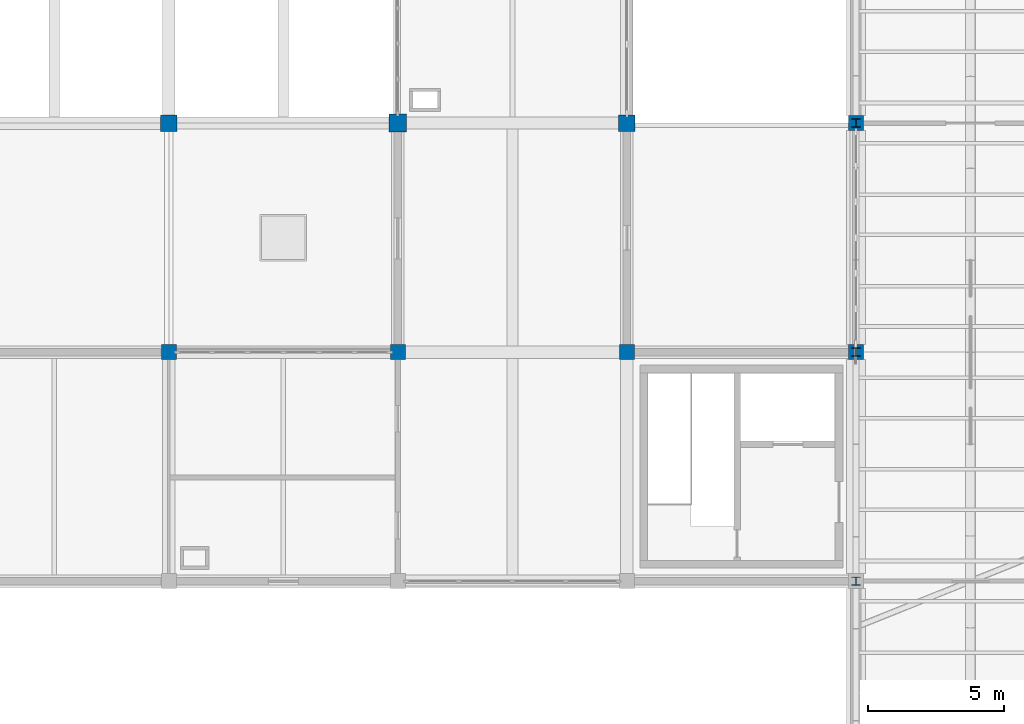
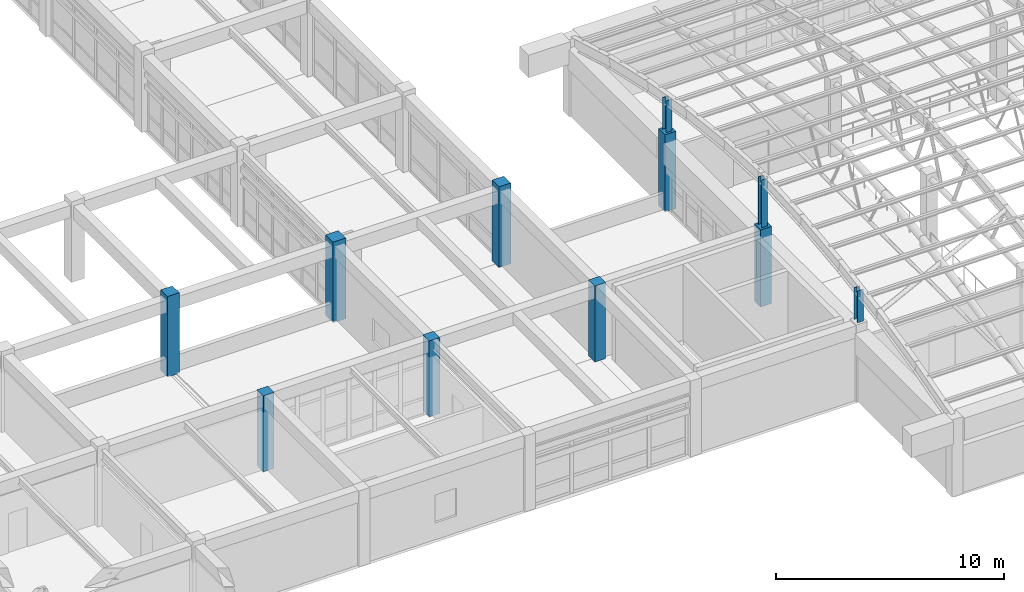
# One storey, part 2 of 74: 11 columns.
"""IFC4 building model written with IfcOpenShell, lengths in metres."""

from ifc_helpers import new_model, si_unit, direction, frame, origin, origin_2d, place, context, subcontext, project, spatial, rectangle, i_section, extrude, material, material_profile, profile_set, type_object, element, save


model = new_model("IFC4")

# Units and contexts
model_context = context("Model", 3, precision=1e-05, world=origin(), true_north=direction((0.0, 1.0)))
body_context = subcontext(model_context, "Body", "Model", "MODEL_VIEW")
ifc_project = project(units=[si_unit("LENGTHUNIT", "METRE"), si_unit("AREAUNIT", "SQUARE_METRE"), si_unit("VOLUMEUNIT", "CUBIC_METRE"), si_unit("PLANEANGLEUNIT", "RADIAN"), si_unit("MASSUNIT", "GRAM", prefix="KILO")], contexts=[model_context])

# Site, building, storey
site_placement = place(None, origin())
site = spatial("IfcSite", under=ifc_project, at=site_placement, CompositionType="ELEMENT")
building_placement = place(site_placement, origin())
building = spatial("IfcBuilding", under=site, at=building_placement, Name="Porcellanite Civic Hall", CompositionType="ELEMENT")
storey_placement = place(building_placement, frame((0.0, 0.0, 14.760009765625)))
storey = spatial("IfcBuildingStorey", under=building, at=storey_placement, Name="L03", CompositionType="ELEMENT", Elevation=14.760009765625)

# Columns
ifc_material_1 = material(Name="Concrete N50 (50 MPa)", Category="concrete")
ifc_material_profile_1 = material_profile(ifc_material_1, rectangle(XDim=0.550048828125, YDim=0.550048828125, at=origin_2d()), Name="RC-550x550")
ifc_profile_set_1 = profile_set([ifc_material_profile_1], Name="Concrete N50 (50 MPa)")
column_type_1 = type_object("IfcColumnType", Name="COL-550", PredefinedType="COLUMN", material=ifc_profile_set_1)
for number, where, z_axis, x_axis, name in (
    (1, (42.0, 58.800048828125, 0.0), (0.0, 0.0, 1.0), (1.0, 0.0, 0.0), "Column L03 5-7"),
    (2, (50.39990234375, 58.800048828125, 0.0), (0.0, 0.0, 1.0), (1.0, 0.0, 0.0), "Column L03 6-7"),
    (3, (58.800048828125, 58.800048828125, 0.0), (0.0, 0.0, 1.0), (1.0, 0.0, 0.0), "Column L03 7-7"),
):
    element("IfcColumn", number, at=place(storey_placement, frame(where, z_axis=z_axis, x_axis=x_axis)), inside=storey, type_object=column_type_1, Name=name, PredefinedType="COLUMN", context=body_context, shape_type="SweptSolid", body=[
        extrude(rectangle(XDim=0.550048828125, YDim=0.550048828125, at=origin_2d()), origin(), (0.0, 0.0, 1.0), 4.070068359375),
    ])
for number, where, z_axis, x_axis, name in (
    (4, (67.199951171875, 58.800048828125, 0.0), (0.0, 0.0, 1.0), (1.0, 0.0, 0.0), "Column L03 8-7"),
    (5, (67.199951171875, 67.199951171875, 0.0), (0.0, 0.0, 1.0), (1.0, 0.0, 0.0), "Column L03 8-8"),
):
    element("IfcColumn", number, at=place(storey_placement, frame(where, z_axis=z_axis, x_axis=x_axis)), inside=storey, type_object=column_type_1, Name=name, PredefinedType="COLUMN", context=body_context, shape_type="SweptSolid", body=[
        extrude(rectangle(XDim=0.550048828125, YDim=0.550048828125, at=origin_2d()), origin(), (0.0, 0.0, 1.0), 4.139892578125),
    ])
ifc_material_2 = material(Name="Concrete N50 (50 MPa)", Category="concrete")
ifc_material_profile_2 = material_profile(ifc_material_2, rectangle(XDim=0.60009765625, YDim=0.60009765625, at=origin_2d()), Name="RC-600x600")
ifc_profile_set_2 = profile_set([ifc_material_profile_2], Name="Concrete N50 (50 MPa)")
column_type_2 = type_object("IfcColumnType", Name="COL-600", PredefinedType="COLUMN", material=ifc_profile_set_2)
for number, where, z_axis, x_axis, name in (
    (6, (42.0, 67.199951171875, 0.0), (0.0, 0.0, 1.0), (1.0, 0.0, 0.0), "Column L03 5-8"),
    (7, (58.800048828125, 67.199951171875, 0.0), (0.0, 0.0, 1.0), (1.0, 0.0, 0.0), "Column L03 7-8"),
):
    element("IfcColumn", number, at=place(storey_placement, frame(where, z_axis=z_axis, x_axis=x_axis)), inside=storey, type_object=column_type_2, Name=name, PredefinedType="COLUMN", context=body_context, shape_type="SweptSolid", body=[
        extrude(rectangle(XDim=0.60009765625, YDim=0.60009765625, at=origin_2d()), origin(), (0.0, 0.0, 1.0), 4.320068359375),
    ])
ifc_material_3 = material(Name="Concrete N50 (50 MPa)", Category="concrete")
ifc_material_profile_3 = material_profile(ifc_material_3, rectangle(XDim=0.64990234375, YDim=0.64990234375, at=origin_2d()), Name="RC-650x650")
ifc_profile_set_3 = profile_set([ifc_material_profile_3], Name="Concrete N50 (50 MPa)")
column_type_3 = type_object("IfcColumnType", Name="COL-650", PredefinedType="COLUMN", material=ifc_profile_set_3)
column_1_placement = place(storey_placement, frame((50.39990234375, 67.199951171875, 0.0), z_axis=(0.0, 0.0, 1.0), x_axis=(1.0, 0.0, 0.0)))
element("IfcColumn", 8, at=column_1_placement, inside=storey, type_object=column_type_3, Name="Column L03 6-8", PredefinedType="COLUMN", context=body_context, shape_type="SweptSolid", body=[
    extrude(rectangle(XDim=0.64990234375, YDim=0.64990234375, at=origin_2d()), origin(), (0.0, 0.0, 1.0), 4.320068359375),
])
ifc_material_4 = material(Name="Steel Grade 350", Category="steel")
ifc_material_profile_4 = material_profile(ifc_material_4, i_section(OverallWidth=0.304931640625, OverallDepth=0.30810546875, WebThickness=0.010009765625, FlangeThickness=0.015380859375, FilletRadius=0.0166015625, at=origin_2d()), Name="310UC96.8")
ifc_profile_set_4 = profile_set([ifc_material_profile_4], Name="Steel Grade 350")
column_type_4 = type_object("IfcColumnType", Name="SCOL-310UC97", PredefinedType="COLUMN", material=ifc_profile_set_4)
column_2_placement = place(storey_placement, frame((67.199951171875, 50.39990234375, 4.139892578125), z_axis=(0.0, 0.0, 1.0), x_axis=(1.0, 0.0, 0.0)))
element("IfcColumn", 9, at=column_2_placement, inside=storey, type_object=column_type_4, Name="Chamber gable column 8-6", PredefinedType="COLUMN", context=body_context, shape_type="SweptSolid", body=[
    extrude(i_section(OverallWidth=0.304931640625, OverallDepth=0.30810546875, WebThickness=0.010009765625, FlangeThickness=0.015380859375, FilletRadius=0.0166015625, at=origin_2d()), origin(), (0.0, 0.0, 1.0), 1.708984375),
])
column_3_placement = place(storey_placement, frame((67.199951171875, 58.800048828125, 4.139892578125), z_axis=(0.0, 0.0, 1.0), x_axis=(1.0, 0.0, 0.0)))
element("IfcColumn", 10, at=column_3_placement, inside=storey, type_object=column_type_4, Name="Chamber gable column 8-7", PredefinedType="COLUMN", context=body_context, shape_type="SweptSolid", body=[
    extrude(i_section(OverallWidth=0.304931640625, OverallDepth=0.30810546875, WebThickness=0.010009765625, FlangeThickness=0.015380859375, FilletRadius=0.0166015625, at=origin_2d()), origin(), (0.0, 0.0, 1.0), 2.557861328125),
])
column_4_placement = place(storey_placement, frame((67.199951171875, 67.199951171875, 4.139892578125), z_axis=(0.0, 0.0, 1.0), x_axis=(1.0, 0.0, 0.0)))
element("IfcColumn", 11, at=column_4_placement, inside=storey, type_object=column_type_4, Name="Chamber gable column 8-8", PredefinedType="COLUMN", context=body_context, shape_type="SweptSolid", body=[
    extrude(i_section(OverallWidth=0.304931640625, OverallDepth=0.30810546875, WebThickness=0.010009765625, FlangeThickness=0.015380859375, FilletRadius=0.0166015625, at=origin_2d()), origin(), (0.0, 0.0, 1.0), 1.708984375),
])

save(model, "model.ifc")
